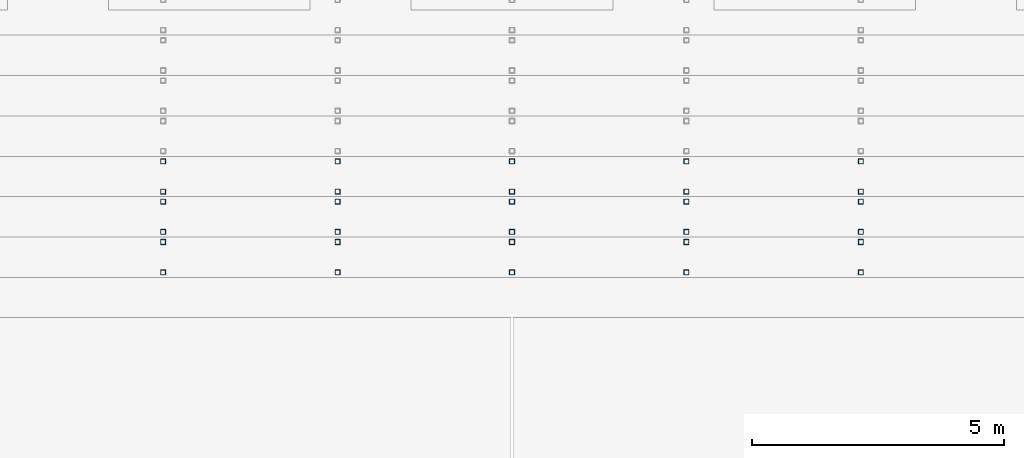
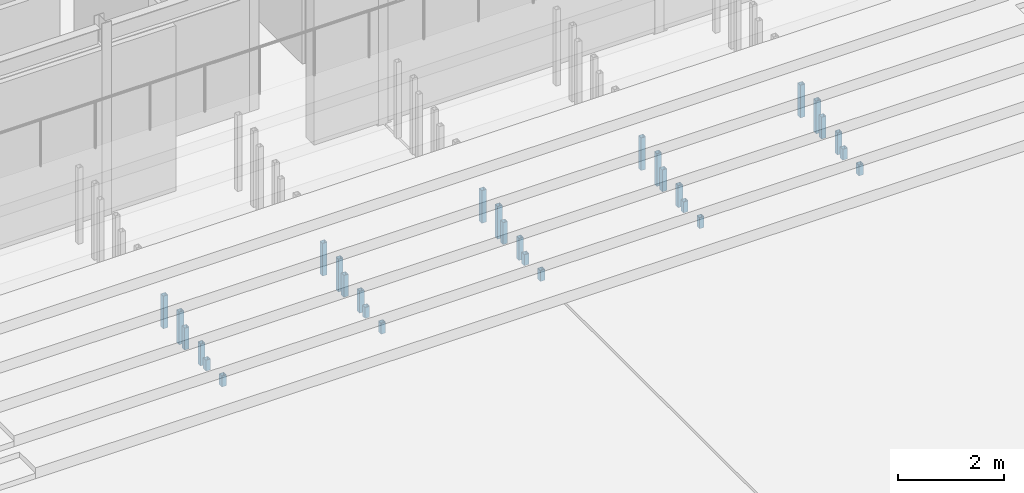
# One storey, part 69 of 139: 30 members.
"""IFC4 building model written with IfcOpenShell, lengths in metres."""

from ifc_helpers import new_model, si_unit, direction, frame, origin, origin_2d, place, context, subcontext, project, spatial, hollow_rectangle, extrude, material, material_profile, profile_set, type_object, element, save


model = new_model("IFC4")

# Units and contexts
model_context = context("Model", 3, precision=1e-05, world=origin(), true_north=direction((0.0, 1.0)))
body_context = subcontext(model_context, "Body", "Model", "MODEL_VIEW")
ifc_project = project(units=[si_unit("LENGTHUNIT", "METRE"), si_unit("AREAUNIT", "SQUARE_METRE"), si_unit("VOLUMEUNIT", "CUBIC_METRE"), si_unit("PLANEANGLEUNIT", "RADIAN"), si_unit("MASSUNIT", "GRAM", prefix="KILO")], contexts=[model_context])

# Site, building, storey
site_placement = place(None, origin())
site = spatial("IfcSite", under=ifc_project, at=site_placement, CompositionType="ELEMENT")
building_placement = place(site_placement, origin())
building = spatial("IfcBuilding", under=site, at=building_placement, Name="Verrick Yard Athletic Hall", CompositionType="ELEMENT")
storey_placement = place(building_placement, origin())
storey = spatial("IfcBuildingStorey", under=building, at=storey_placement, Name="L00", CompositionType="ELEMENT", Elevation=0.0)

# Members
ifc_material = material(Name="Structural steel HSS Class C 350W (CSA G40.20/G40.21)", Category="steel")
ifc_material_profile = material_profile(ifc_material, hollow_rectangle(XDim=0.1015625, YDim=0.1015625, WallThickness=0.00634765625, at=origin_2d()), Name="HSS102x102x6.4")
ifc_profile_set = profile_set([ifc_material_profile], Name="Structural steel HSS Class C 350W (CSA G40.20/G40.21)")
member_type = type_object("IfcMemberType", Name="HB seating post HSS102x102x6.4", PredefinedType="POST", material=ifc_profile_set)
for number, where, z_axis, x_axis, name in (
    (1, (138.68359375, 94.699951171875, 0.0), (0.0, 0.0, 1.0), (0.0, 1.0, 0.0), "HB-SP-RSA1-T2f5"),
    (2, (142.141845703125, 94.699951171875, 0.0), (0.0, 0.0, 1.0), (0.0, 1.0, 0.0), "HB-SP-RSA1-T2f6"),
    (3, (145.60009765625, 94.699951171875, 0.0), (0.0, 0.0, 1.0), (0.0, 1.0, 0.0), "HB-SP-RSA1-T2f7"),
    (4, (149.05810546875, 94.699951171875, 0.0), (0.0, 0.0, 1.0), (0.0, 1.0, 0.0), "HB-SP-RSA1-T2f8"),
    (5, (152.516357421875, 94.699951171875, 0.0), (0.0, 0.0, 1.0), (0.0, 1.0, 0.0), "HB-SP-RSA1-T2f9"),
    (6, (138.68359375, 95.300048828125, 0.0), (0.0, 0.0, 1.0), (0.0, 1.0, 0.0), "HB-SP-RSA1-T2b5"),
    (7, (142.141845703125, 95.300048828125, 0.0), (0.0, 0.0, 1.0), (0.0, 1.0, 0.0), "HB-SP-RSA1-T2b6"),
    (8, (145.60009765625, 95.300048828125, 0.0), (0.0, 0.0, 1.0), (0.0, 1.0, 0.0), "HB-SP-RSA1-T2b7"),
    (9, (149.05810546875, 95.300048828125, 0.0), (0.0, 0.0, 1.0), (0.0, 1.0, 0.0), "HB-SP-RSA1-T2b8"),
    (10, (152.516357421875, 95.300048828125, 0.0), (0.0, 0.0, 1.0), (0.0, 1.0, 0.0), "HB-SP-RSA1-T2b9"),
):
    element("IfcMember", number, at=place(storey_placement, frame(where, z_axis=z_axis, x_axis=x_axis)), inside=storey, type_object=member_type, Name=name, PredefinedType="POST", context=body_context, shape_type="SweptSolid", body=[
        extrude(hollow_rectangle(XDim=0.1015625, YDim=0.1015625, WallThickness=0.00634765625, at=origin_2d()), origin(), (0.0, 0.0, 1.0), 0.25),
    ])
for number, where, z_axis, x_axis, name in (
    (11, (138.68359375, 95.5, 0.0), (0.0, 0.0, 1.0), (0.0, 1.0, 0.0), "HB-SP-RSA1-T3f5"),
    (12, (142.141845703125, 95.5, 0.0), (0.0, 0.0, 1.0), (0.0, 1.0, 0.0), "HB-SP-RSA1-T3f6"),
    (13, (145.60009765625, 95.5, 0.0), (0.0, 0.0, 1.0), (0.0, 1.0, 0.0), "HB-SP-RSA1-T3f7"),
    (14, (149.05810546875, 95.5, 0.0), (0.0, 0.0, 1.0), (0.0, 1.0, 0.0), "HB-SP-RSA1-T3f8"),
    (15, (152.516357421875, 95.5, 0.0), (0.0, 0.0, 1.0), (0.0, 1.0, 0.0), "HB-SP-RSA1-T3f9"),
    (16, (138.68359375, 96.10009765625, 0.0), (0.0, 0.0, 1.0), (0.0, 1.0, 0.0), "HB-SP-RSA1-T3b5"),
    (17, (142.141845703125, 96.10009765625, 0.0), (0.0, 0.0, 1.0), (0.0, 1.0, 0.0), "HB-SP-RSA1-T3b6"),
    (18, (145.60009765625, 96.10009765625, 0.0), (0.0, 0.0, 1.0), (0.0, 1.0, 0.0), "HB-SP-RSA1-T3b7"),
    (19, (149.05810546875, 96.10009765625, 0.0), (0.0, 0.0, 1.0), (0.0, 1.0, 0.0), "HB-SP-RSA1-T3b8"),
    (20, (152.516357421875, 96.10009765625, 0.0), (0.0, 0.0, 1.0), (0.0, 1.0, 0.0), "HB-SP-RSA1-T3b9"),
):
    element("IfcMember", number, at=place(storey_placement, frame(where, z_axis=z_axis, x_axis=x_axis)), inside=storey, type_object=member_type, Name=name, PredefinedType="POST", context=body_context, shape_type="SweptSolid", body=[
        extrude(hollow_rectangle(XDim=0.1015625, YDim=0.1015625, WallThickness=0.00634765625, at=origin_2d()), origin(), (0.0, 0.0, 1.0), 0.5),
    ])
for number, where, z_axis, x_axis, name in (
    (21, (138.68359375, 96.300048828125, 0.0), (0.0, 0.0, 1.0), (0.0, 1.0, 0.0), "HB-SP-RSA1-T4f5"),
    (22, (142.141845703125, 96.300048828125, 0.0), (0.0, 0.0, 1.0), (0.0, 1.0, 0.0), "HB-SP-RSA1-T4f6"),
    (23, (145.60009765625, 96.300048828125, 0.0), (0.0, 0.0, 1.0), (0.0, 1.0, 0.0), "HB-SP-RSA1-T4f7"),
    (24, (149.05810546875, 96.300048828125, 0.0), (0.0, 0.0, 1.0), (0.0, 1.0, 0.0), "HB-SP-RSA1-T4f8"),
    (25, (152.516357421875, 96.300048828125, 0.0), (0.0, 0.0, 1.0), (0.0, 1.0, 0.0), "HB-SP-RSA1-T4f9"),
    (26, (138.68359375, 96.89990234375, 0.0), (0.0, 0.0, 1.0), (0.0, 1.0, 0.0), "HB-SP-RSA1-T4b5"),
    (27, (142.141845703125, 96.89990234375, 0.0), (0.0, 0.0, 1.0), (0.0, 1.0, 0.0), "HB-SP-RSA1-T4b6"),
    (28, (145.60009765625, 96.89990234375, 0.0), (0.0, 0.0, 1.0), (0.0, 1.0, 0.0), "HB-SP-RSA1-T4b7"),
    (29, (149.05810546875, 96.89990234375, 0.0), (0.0, 0.0, 1.0), (0.0, 1.0, 0.0), "HB-SP-RSA1-T4b8"),
    (30, (152.516357421875, 96.89990234375, 0.0), (0.0, 0.0, 1.0), (0.0, 1.0, 0.0), "HB-SP-RSA1-T4b9"),
):
    element("IfcMember", number, at=place(storey_placement, frame(where, z_axis=z_axis, x_axis=x_axis)), inside=storey, type_object=member_type, Name=name, PredefinedType="POST", context=body_context, shape_type="SweptSolid", body=[
        extrude(hollow_rectangle(XDim=0.1015625, YDim=0.1015625, WallThickness=0.00634765625, at=origin_2d()), origin(), (0.0, 0.0, 1.0), 0.75),
    ])

save(model, "model.ifc")
